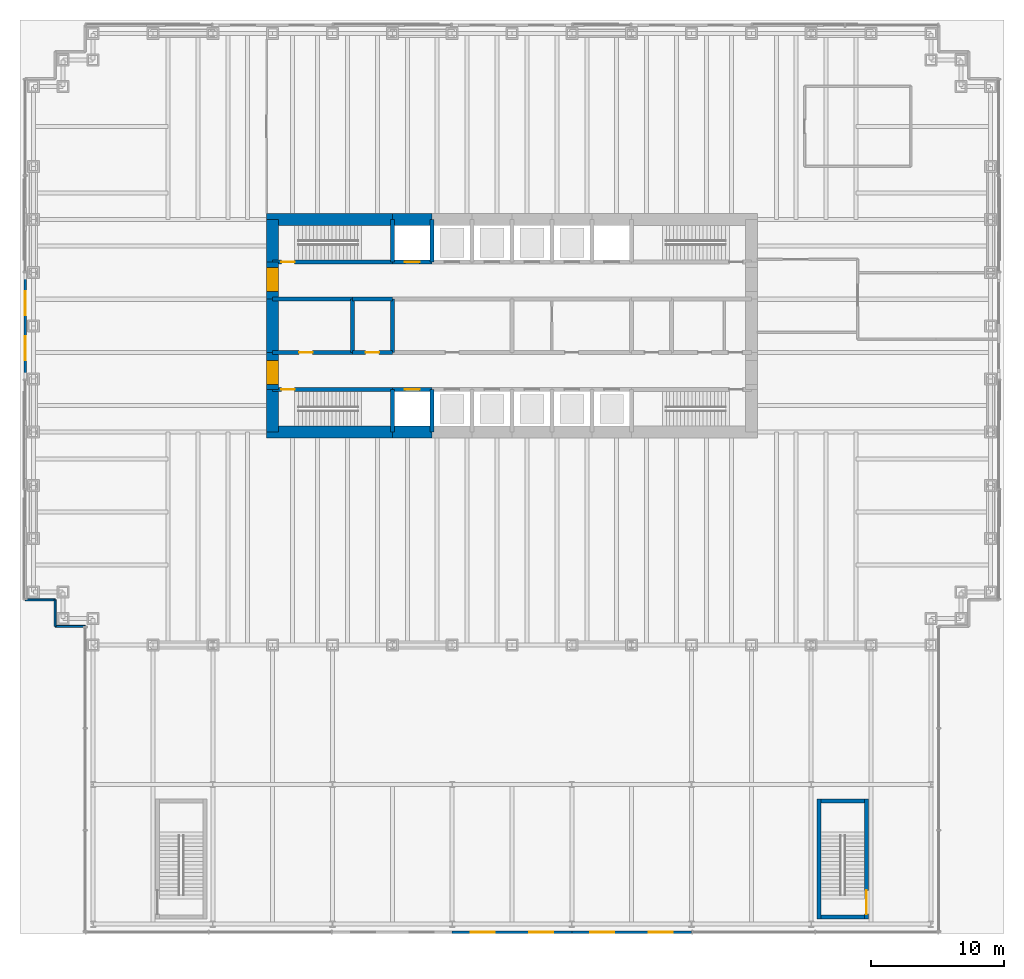
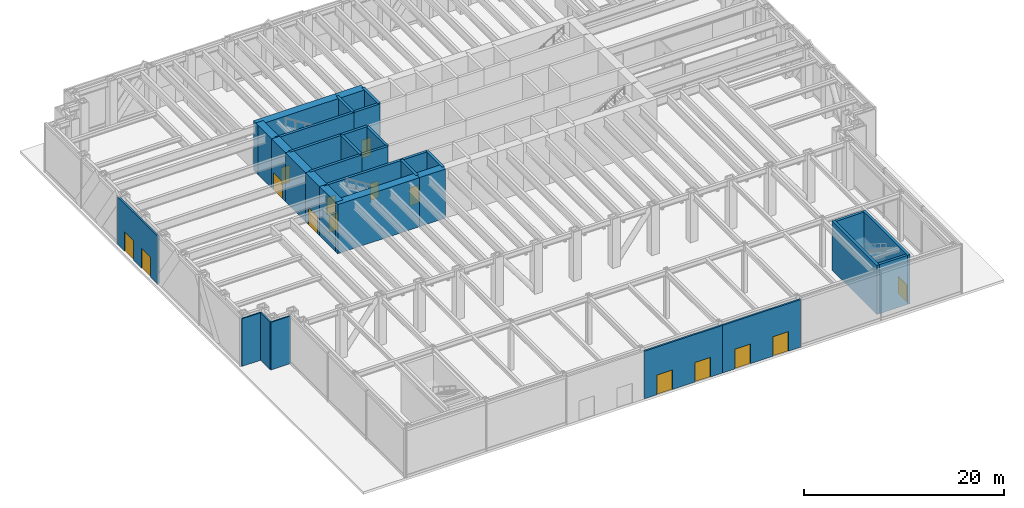
# One storey, part 12 of 17: 33 walls, 15 doors, 15 openings.
"""IFC4 building model written with IfcOpenShell, lengths in metres."""

from ifc_helpers import new_model, si_unit, direction, frame, frame_2d, origin, place, context, subcontext, project, spatial, rectangle, extrude, material, layer, layer_set, type_object, element, fill, save


model = new_model("IFC4")

# Units and contexts
model_context = context("Model", 3, precision=1e-05, world=origin(), true_north=direction((0.0, 1.0)))
body_context = subcontext(model_context, "Body", "Model", "MODEL_VIEW")
ifc_project = project(units=[si_unit("LENGTHUNIT", "METRE"), si_unit("AREAUNIT", "SQUARE_METRE"), si_unit("VOLUMEUNIT", "CUBIC_METRE"), si_unit("PLANEANGLEUNIT", "RADIAN"), si_unit("MASSUNIT", "GRAM", prefix="KILO")], contexts=[model_context])

# Site, building, storey
site_placement = place(None, origin())
site = spatial("IfcSite", under=ifc_project, at=site_placement, CompositionType="ELEMENT")
building_placement = place(site_placement, origin())
building = spatial("IfcBuilding", under=site, at=building_placement, Name="Rheinbord Bourse Tower", CompositionType="ELEMENT")
storey_placement = place(building_placement, origin())
storey = spatial("IfcBuildingStorey", under=building, at=storey_placement, Name="L00", CompositionType="ELEMENT", Elevation=0.0)

# Wall, opening, door
ifc_material_1 = material(Name="Concrete C50/60", Category="concrete")
ifc_layer_1 = layer(ifc_material_1, 0.300048828125)
ifc_layer_set_1 = layer_set([ifc_layer_1], Name="CORE INNER WALL 300")
wall_type_1 = type_object("IfcWallType", Name="CORE INNER WALL 300", PredefinedType="SOLIDWALL", material=ifc_layer_set_1)
wall_1_placement = place(storey_placement, frame((18.0, 19.199951171875, 0.0), z_axis=(0.0, 0.0, 1.0), x_axis=(1.0, 0.0, 0.0)))
wall_1 = element("IfcWall", 1, at=wall_1_placement, inside=storey, type_object=wall_type_1, Name="Core wall A1 L00", PredefinedType="SOLIDWALL", context=body_context, shape_type="SweptSolid", body=[
    extrude(rectangle(XDim=9.0, YDim=0.300048828125, at=frame_2d((4.5, 0.0))), origin(), (0.0, 0.0, 1.0), 6.0),
])
opening_1_placement = place(wall_1_placement, frame((0.64990234375, 0.0, 0.0)))
opening_1 = element("IfcOpeningElement", 2, at=opening_1_placement, cuts=wall_1, Name="Opening 0010", PredefinedType="OPENING", context=body_context, shape_type="SweptSolid", body=[
    extrude(rectangle(XDim=1.0, YDim=2.10009765625, at=frame_2d((0.5, 1.050048828125))), frame((0.0, 0.159912109375, 0.0), z_axis=(0.0, -1.0, 0.0), x_axis=(1.0, 0.0, 0.0)), (0.0, 0.0, 1.0), 0.320068359375),
])
ifc_material_2 = material(Name="Steel door", Category="steel")
door_type_1 = type_object("IfcDoorType", Name="DOOR 1000 EI30", OperationType="SINGLE_SWING_LEFT", PredefinedType="DOOR", material=ifc_material_2)
door_1_placement = place(opening_1_placement, origin())
door_1 = element("IfcDoor", 3, at=door_1_placement, inside=storey, type_object=door_type_1, Name="Stair door ST1 L00", OperationType="SINGLE_SWING_LEFT", OverallHeight=2.10009765625, OverallWidth=1.0, PredefinedType="DOOR", context=body_context, shape_type="SweptSolid", body=[
    extrude(rectangle(XDim=1.0, YDim=2.10009765625, at=frame_2d((0.5, 1.050048828125))), frame((0.0, 0.02490234375, 0.0), z_axis=(0.0, -1.0, 0.0), x_axis=(1.0, 0.0, 0.0)), (0.0, 0.0, 1.0), 0.050048828125),
])
fill(opening_1, door_1)

wall_2_placement = place(storey_placement, frame((27.0, 19.199951171875, 0.0), z_axis=(0.0, 0.0, 1.0), x_axis=(1.0, 0.0, 0.0)))
wall_2 = element("IfcWall", 4, at=wall_2_placement, inside=storey, type_object=wall_type_1, Name="Core wall A2 L00", PredefinedType="SOLIDWALL", context=body_context, shape_type="SweptSolid", body=[
    extrude(rectangle(XDim=3.0, YDim=0.300048828125, at=frame_2d((1.5, 0.0))), origin(), (0.0, 0.0, 1.0), 6.0),
])
opening_2_placement = place(wall_2_placement, frame((0.949951171875, 0.0, 0.0)))
opening_2 = element("IfcOpeningElement", 5, at=opening_2_placement, cuts=wall_2, Name="Opening FL1", PredefinedType="OPENING", context=body_context, shape_type="SweptSolid", body=[
    extrude(rectangle(XDim=1.10009765625, YDim=2.199951171875, at=frame_2d((0.550048828125, 1.10009765625))), frame((0.0, 0.159912109375, 0.0), z_axis=(0.0, -1.0, 0.0), x_axis=(1.0, 0.0, 0.0)), (0.0, 0.0, 1.0), 0.320068359375),
])
ifc_material_3 = material(Name="Steel landing door", Category="steel")
door_type_2 = type_object("IfcDoorType", Name="LIFT LANDING DOOR 1100", OperationType="DOUBLE_DOOR_SLIDING", PredefinedType="USERDEFINED", material=ifc_material_3)
door_2_placement = place(opening_2_placement, origin())
door_2 = element("IfcDoor", 6, at=door_2_placement, inside=storey, type_object=door_type_2, Name="Lift landing door FL1 L00", ObjectType="LIFT LANDING DOOR", OperationType="DOUBLE_DOOR_SLIDING", OverallHeight=2.199951171875, OverallWidth=1.10009765625, PredefinedType="USERDEFINED", context=body_context, shape_type="SweptSolid", body=[
    extrude(rectangle(XDim=1.10009765625, YDim=2.199951171875, at=frame_2d((0.550048828125, 1.10009765625))), frame((0.0, 0.02490234375, 0.0), z_axis=(0.0, -1.0, 0.0), x_axis=(1.0, 0.0, 0.0)), (0.0, 0.0, 1.0), 0.050048828125),
])
fill(opening_2, door_2)

wall_3_placement = place(storey_placement, frame((18.0, 28.800048828125, 0.0), z_axis=(0.0, 0.0, 1.0), x_axis=(1.0, 0.0, 0.0)))
wall_3 = element("IfcWall", 7, at=wall_3_placement, inside=storey, type_object=wall_type_1, Name="Core wall B1 L00", PredefinedType="SOLIDWALL", context=body_context, shape_type="SweptSolid", body=[
    extrude(rectangle(XDim=9.0, YDim=0.300048828125, at=frame_2d((4.5, 0.0))), origin(), (0.0, 0.0, 1.0), 6.0),
])
opening_3_placement = place(wall_3_placement, frame((0.64990234375, 0.0, 0.0)))
opening_3 = element("IfcOpeningElement", 8, at=opening_3_placement, cuts=wall_3, Name="Opening 0020", PredefinedType="OPENING", context=body_context, shape_type="SweptSolid", body=[
    extrude(rectangle(XDim=1.0, YDim=2.10009765625, at=frame_2d((0.5, 1.050048828125))), frame((0.0, 0.159912109375, 0.0), z_axis=(0.0, -1.0, 0.0), x_axis=(1.0, 0.0, 0.0)), (0.0, 0.0, 1.0), 0.320068359375),
])
door_3_placement = place(opening_3_placement, origin())
door_3 = element("IfcDoor", 9, at=door_3_placement, inside=storey, type_object=door_type_1, Name="Stair door ST2 L00", OperationType="SINGLE_SWING_LEFT", OverallHeight=2.10009765625, OverallWidth=1.0, PredefinedType="DOOR", context=body_context, shape_type="SweptSolid", body=[
    extrude(rectangle(XDim=1.0, YDim=2.10009765625, at=frame_2d((0.5, 1.050048828125))), frame((0.0, 0.02490234375, 0.0), z_axis=(0.0, -1.0, 0.0), x_axis=(1.0, 0.0, 0.0)), (0.0, 0.0, 1.0), 0.050048828125),
])
fill(opening_3, door_3)

wall_4_placement = place(storey_placement, frame((27.0, 28.800048828125, 0.0), z_axis=(0.0, 0.0, 1.0), x_axis=(1.0, 0.0, 0.0)))
wall_4 = element("IfcWall", 10, at=wall_4_placement, inside=storey, type_object=wall_type_1, Name="Core wall B2 L00", PredefinedType="SOLIDWALL", context=body_context, shape_type="SweptSolid", body=[
    extrude(rectangle(XDim=3.0, YDim=0.300048828125, at=frame_2d((1.5, 0.0))), origin(), (0.0, 0.0, 1.0), 6.0),
])
opening_4_placement = place(wall_4_placement, frame((0.949951171875, 0.0, 0.0)))
opening_4 = element("IfcOpeningElement", 11, at=opening_4_placement, cuts=wall_4, Name="Opening GL1", PredefinedType="OPENING", context=body_context, shape_type="SweptSolid", body=[
    extrude(rectangle(XDim=1.10009765625, YDim=2.199951171875, at=frame_2d((0.550048828125, 1.10009765625))), frame((0.0, 0.159912109375, 0.0), z_axis=(0.0, -1.0, 0.0), x_axis=(1.0, 0.0, 0.0)), (0.0, 0.0, 1.0), 0.320068359375),
])
door_4_placement = place(opening_4_placement, origin())
door_4 = element("IfcDoor", 12, at=door_4_placement, inside=storey, type_object=door_type_2, Name="Lift landing door GL1 L00", ObjectType="LIFT LANDING DOOR", OperationType="DOUBLE_DOOR_SLIDING", OverallHeight=2.199951171875, OverallWidth=1.10009765625, PredefinedType="USERDEFINED", context=body_context, shape_type="SweptSolid", body=[
    extrude(rectangle(XDim=1.10009765625, YDim=2.199951171875, at=frame_2d((0.550048828125, 1.10009765625))), frame((0.0, 0.02490234375, 0.0), z_axis=(0.0, -1.0, 0.0), x_axis=(1.0, 0.0, 0.0)), (0.0, 0.0, 1.0), 0.050048828125),
])
fill(opening_4, door_4)

wall_5_placement = place(storey_placement, frame((18.0, 22.0, 0.0), z_axis=(0.0, 0.0, 1.0), x_axis=(1.0, 0.0, 0.0)))
wall_5 = element("IfcWall", 13, at=wall_5_placement, inside=storey, type_object=wall_type_1, Name="Core wall C1 L00", PredefinedType="SOLIDWALL", context=body_context, shape_type="SweptSolid", body=[
    extrude(rectangle(XDim=6.0, YDim=0.300048828125, at=frame_2d((3.0, 0.0))), origin(), (0.0, 0.0, 1.0), 6.0),
])
opening_5_placement = place(wall_5_placement, frame((2.0, 0.0, 0.0)))
opening_5 = element("IfcOpeningElement", 14, at=opening_5_placement, cuts=wall_5, Name="Opening 00R1", PredefinedType="OPENING", context=body_context, shape_type="SweptSolid", body=[
    extrude(rectangle(XDim=1.0, YDim=2.10009765625, at=frame_2d((0.5, 1.050048828125))), frame((0.0, 0.159912109375, 0.0), z_axis=(0.0, -1.0, 0.0), x_axis=(1.0, 0.0, 0.0)), (0.0, 0.0, 1.0), 0.320068359375),
])
ifc_material_4 = material(Name="Timber door", Category="wood")
door_type_3 = type_object("IfcDoorType", Name="DOOR 1000 WC", OperationType="SINGLE_SWING_LEFT", PredefinedType="DOOR", material=ifc_material_4)
door_5_placement = place(opening_5_placement, origin())
door_5 = element("IfcDoor", 15, at=door_5_placement, inside=storey, type_object=door_type_3, Name="WC men door L00", OperationType="SINGLE_SWING_LEFT", OverallHeight=2.10009765625, OverallWidth=1.0, PredefinedType="DOOR", context=body_context, shape_type="SweptSolid", body=[
    extrude(rectangle(XDim=1.0, YDim=2.10009765625, at=frame_2d((0.5, 1.050048828125))), frame((0.0, 0.02490234375, 0.0), z_axis=(0.0, -1.0, 0.0), x_axis=(1.0, 0.0, 0.0)), (0.0, 0.0, 1.0), 0.050048828125),
])
fill(opening_5, door_5)

wall_6_placement = place(storey_placement, frame((24.0, 22.0, 0.0), z_axis=(0.0, 0.0, 1.0), x_axis=(1.0, 0.0, 0.0)))
wall_6 = element("IfcWall", 16, at=wall_6_placement, inside=storey, type_object=wall_type_1, Name="Core wall C2 L00", PredefinedType="SOLIDWALL", context=body_context, shape_type="SweptSolid", body=[
    extrude(rectangle(XDim=3.0, YDim=0.300048828125, at=frame_2d((1.5, 0.0))), origin(), (0.0, 0.0, 1.0), 6.0),
])
opening_6_placement = place(wall_6_placement, frame((1.0, 0.0, 0.0)))
opening_6 = element("IfcOpeningElement", 17, at=opening_6_placement, cuts=wall_6, Name="Opening 00R2", PredefinedType="OPENING", context=body_context, shape_type="SweptSolid", body=[
    extrude(rectangle(XDim=1.0, YDim=2.10009765625, at=frame_2d((0.5, 1.050048828125))), frame((0.0, 0.159912109375, 0.0), z_axis=(0.0, -1.0, 0.0), x_axis=(1.0, 0.0, 0.0)), (0.0, 0.0, 1.0), 0.320068359375),
])
door_6_placement = place(opening_6_placement, origin())
door_6 = element("IfcDoor", 18, at=door_6_placement, inside=storey, type_object=door_type_3, Name="Accessible WC door L00", OperationType="SINGLE_SWING_LEFT", OverallHeight=2.10009765625, OverallWidth=1.0, PredefinedType="DOOR", context=body_context, shape_type="SweptSolid", body=[
    extrude(rectangle(XDim=1.0, YDim=2.10009765625, at=frame_2d((0.5, 1.050048828125))), frame((0.0, 0.02490234375, 0.0), z_axis=(0.0, -1.0, 0.0), x_axis=(1.0, 0.0, 0.0)), (0.0, 0.0, 1.0), 0.050048828125),
])
fill(opening_6, door_6)

# Walls
wall_7_placement = place(storey_placement, frame((18.0, 26.0, 0.0), z_axis=(0.0, 0.0, 1.0), x_axis=(1.0, 0.0, 0.0)))
element("IfcWall", 19, at=wall_7_placement, inside=storey, type_object=wall_type_1, Name="Core wall D1 L00", PredefinedType="SOLIDWALL", context=body_context, shape_type="SweptSolid", body=[
    extrude(rectangle(XDim=6.0, YDim=0.300048828125, at=frame_2d((3.0, 0.0))), origin(), (0.0, 0.0, 1.0), 6.0),
])
wall_8_placement = place(storey_placement, frame((24.0, 26.0, 0.0), z_axis=(0.0, 0.0, 1.0), x_axis=(1.0, 0.0, 0.0)))
element("IfcWall", 20, at=wall_8_placement, inside=storey, type_object=wall_type_1, Name="Core wall D2 L00", PredefinedType="SOLIDWALL", context=body_context, shape_type="SweptSolid", body=[
    extrude(rectangle(XDim=3.0, YDim=0.300048828125, at=frame_2d((1.5, 0.0))), origin(), (0.0, 0.0, 1.0), 6.0),
])
for number, where, z_axis, x_axis, name in (
    (21, (27.0, 16.0, 0.0), (0.0, 0.0, 1.0), (0.0, 1.0, 0.0), "Core wall SX27 L00"),
    (22, (27.0, 28.800048828125, 0.0), (0.0, 0.0, 1.0), (0.0, 1.0, 0.0), "Core wall NX27 L00"),
    (23, (30.0, 16.0, 0.0), (0.0, 0.0, 1.0), (0.0, 1.0, 0.0), "Core wall SX30 L00"),
    (24, (30.0, 28.800048828125, 0.0), (0.0, 0.0, 1.0), (0.0, 1.0, 0.0), "Core wall NX30 L00"),
):
    element("IfcWall", number, at=place(storey_placement, frame(where, z_axis=z_axis, x_axis=x_axis)), inside=storey, type_object=wall_type_1, Name=name, PredefinedType="SOLIDWALL", context=body_context, shape_type="SweptSolid", body=[
        extrude(rectangle(XDim=3.199951171875, YDim=0.300048828125, at=frame_2d((1.60009765625, 0.0))), origin(), (0.0, 0.0, 1.0), 6.0),
    ])
for number, where, z_axis, x_axis, name in (
    (25, (24.0, 22.0, 0.0), (0.0, 0.0, 1.0), (0.0, 1.0, 0.0), "Core wall MX24 L00"),
    (26, (27.0, 22.0, 0.0), (0.0, 0.0, 1.0), (0.0, 1.0, 0.0), "Core wall MX27 L00"),
):
    element("IfcWall", number, at=place(storey_placement, frame(where, z_axis=z_axis, x_axis=x_axis)), inside=storey, type_object=wall_type_1, Name=name, PredefinedType="SOLIDWALL", context=body_context, shape_type="SweptSolid", body=[
        extrude(rectangle(XDim=4.0, YDim=0.300048828125, at=frame_2d((2.0, 0.0))), origin(), (0.0, 0.0, 1.0), 6.0),
    ])
ifc_material_5 = material(Name="Concrete C50/60", Category="concrete")
ifc_layer_2 = layer(ifc_material_5, 0.89990234375)
ifc_layer_set_2 = layer_set([ifc_layer_2], Name="CORE WALL 900")
wall_type_2 = type_object("IfcWallType", Name="CORE WALL 900", PredefinedType="SHEAR", material=ifc_layer_set_2)
wall_9_placement = place(storey_placement, frame((17.550048828125, 16.0, 0.0), z_axis=(0.0, 0.0, 1.0), x_axis=(1.0, 0.0, 0.0)))
element("IfcWall", 27, at=wall_9_placement, inside=storey, type_object=wall_type_2, Name="Core wall S1 L00", PredefinedType="SHEAR", context=body_context, shape_type="SweptSolid", body=[
    extrude(rectangle(XDim=9.449951171875, YDim=0.89990234375, at=frame_2d((4.72509765625, 0.0))), origin(), (0.0, 0.0, 1.0), 6.0),
])
for number, where, z_axis, x_axis, name in (
    (28, (27.0, 16.0, 0.0), (0.0, 0.0, 1.0), (1.0, 0.0, 0.0), "Core wall S2 L00"),
    (29, (30.0, 32.0, 0.0), (0.0, 0.0, 1.0), (-1.0, 0.0, 0.0), "Core wall N7 L00"),
):
    element("IfcWall", number, at=place(storey_placement, frame(where, z_axis=z_axis, x_axis=x_axis)), inside=storey, type_object=wall_type_2, Name=name, PredefinedType="SHEAR", context=body_context, shape_type="SweptSolid", body=[
        extrude(rectangle(XDim=3.0, YDim=0.89990234375, at=frame_2d((1.5, 0.0))), origin(), (0.0, 0.0, 1.0), 6.0),
    ])
wall_10_placement = place(storey_placement, frame((27.0, 32.0, 0.0), z_axis=(0.0, 0.0, 1.0), x_axis=(-1.0, 0.0, 0.0)))
element("IfcWall", 30, at=wall_10_placement, inside=storey, type_object=wall_type_2, Name="Core wall N8 L00", PredefinedType="SHEAR", context=body_context, shape_type="SweptSolid", body=[
    extrude(rectangle(XDim=9.449951171875, YDim=0.89990234375, at=frame_2d((4.72509765625, 0.0))), origin(), (0.0, 0.0, 1.0), 6.0),
])
wall_11_placement = place(storey_placement, frame((18.0, 32.0, 0.0), z_axis=(0.0, 0.0, 1.0), x_axis=(0.0, -1.0, 0.0)))
element("IfcWall", 31, at=wall_11_placement, inside=storey, type_object=wall_type_2, Name="Core wall W1 L00", PredefinedType="SHEAR", context=body_context, shape_type="SweptSolid", body=[
    extrude(rectangle(XDim=3.199951171875, YDim=0.89990234375, at=frame_2d((1.60009765625, 0.0))), origin(), (0.0, 0.0, 1.0), 6.0),
])

# Wall, opening, door
wall_12_placement = place(storey_placement, frame((18.0, 28.800048828125, 0.0), z_axis=(0.0, 0.0, 1.0), x_axis=(0.0, -1.0, 0.0)))
wall_12 = element("IfcWall", 32, at=wall_12_placement, inside=storey, type_object=wall_type_2, Name="Core wall W2 L00", PredefinedType="SHEAR", context=body_context, shape_type="SweptSolid", body=[
    extrude(rectangle(XDim=2.800048828125, YDim=0.89990234375, at=frame_2d((1.39990234375, 0.0))), origin(), (0.0, 0.0, 1.0), 6.0),
])
opening_7_placement = place(wall_12_placement, frame((0.39990234375, 0.0, 0.0)))
opening_7 = element("IfcOpeningElement", 33, at=opening_7_placement, cuts=wall_12, Name="Opening 00L2", PredefinedType="OPENING", context=body_context, shape_type="SweptSolid", body=[
    extrude(rectangle(XDim=1.800048828125, YDim=2.10009765625, at=frame_2d((0.89990234375, 1.050048828125))), frame((0.0, 0.4599609375, 0.0), z_axis=(0.0, -1.0, 0.0), x_axis=(1.0, 0.0, 0.0)), (0.0, 0.0, 1.0), 0.919921875),
])
ifc_material_6 = material(Name="Steel door", Category="steel")
door_type_4 = type_object("IfcDoorType", Name="DOOR 1800 EI30 DOUBLE", OperationType="DOUBLE_DOOR_DOUBLE_SWING", PredefinedType="DOOR", material=ifc_material_6)
door_7_placement = place(opening_7_placement, origin())
door_7 = element("IfcDoor", 34, at=door_7_placement, inside=storey, type_object=door_type_4, Name="Lobby door 2 L00", OperationType="SINGLE_SWING_LEFT", OverallHeight=2.10009765625, OverallWidth=1.800048828125, PredefinedType="DOOR", context=body_context, shape_type="SweptSolid", body=[
    extrude(rectangle(XDim=1.800048828125, YDim=2.10009765625, at=frame_2d((0.89990234375, 1.050048828125))), frame((0.0, 0.44970703125, 0.0), z_axis=(0.0, -1.0, 0.0), x_axis=(1.0, 0.0, 0.0)), (0.0, 0.0, 1.0), 0.8994140625),
])
fill(opening_7, door_7)

# Wall
wall_13_placement = place(storey_placement, frame((18.0, 26.0, 0.0), z_axis=(0.0, 0.0, 1.0), x_axis=(0.0, -1.0, 0.0)))
element("IfcWall", 35, at=wall_13_placement, inside=storey, type_object=wall_type_2, Name="Core wall W3 L00", PredefinedType="SHEAR", context=body_context, shape_type="SweptSolid", body=[
    extrude(rectangle(XDim=4.0, YDim=0.89990234375, at=frame_2d((2.0, 0.0))), origin(), (0.0, 0.0, 1.0), 6.0),
])

# Wall, opening, door
wall_14_placement = place(storey_placement, frame((18.0, 22.0, 0.0), z_axis=(0.0, 0.0, 1.0), x_axis=(0.0, -1.0, 0.0)))
wall_14 = element("IfcWall", 36, at=wall_14_placement, inside=storey, type_object=wall_type_2, Name="Core wall W4 L00", PredefinedType="SHEAR", context=body_context, shape_type="SweptSolid", body=[
    extrude(rectangle(XDim=2.800048828125, YDim=0.89990234375, at=frame_2d((1.39990234375, 0.0))), origin(), (0.0, 0.0, 1.0), 6.0),
])
opening_8_placement = place(wall_14_placement, frame((0.60009765625, 0.0, 0.0)))
opening_8 = element("IfcOpeningElement", 37, at=opening_8_placement, cuts=wall_14, Name="Opening 00L1", PredefinedType="OPENING", context=body_context, shape_type="SweptSolid", body=[
    extrude(rectangle(XDim=1.800048828125, YDim=2.10009765625, at=frame_2d((0.89990234375, 1.050048828125))), frame((0.0, 0.4599609375, 0.0), z_axis=(0.0, -1.0, 0.0), x_axis=(1.0, 0.0, 0.0)), (0.0, 0.0, 1.0), 0.919921875),
])
door_8_placement = place(opening_8_placement, origin())
door_8 = element("IfcDoor", 38, at=door_8_placement, inside=storey, type_object=door_type_4, Name="Lobby door 1 L00", OperationType="SINGLE_SWING_LEFT", OverallHeight=2.10009765625, OverallWidth=1.800048828125, PredefinedType="DOOR", context=body_context, shape_type="SweptSolid", body=[
    extrude(rectangle(XDim=1.800048828125, YDim=2.10009765625, at=frame_2d((0.89990234375, 1.050048828125))), frame((0.0, 0.44970703125, 0.0), z_axis=(0.0, -1.0, 0.0), x_axis=(1.0, 0.0, 0.0)), (0.0, 0.0, 1.0), 0.8994140625),
])
fill(opening_8, door_8)

# Walls
wall_15_placement = place(storey_placement, frame((18.0, 19.199951171875, 0.0), z_axis=(0.0, 0.0, 1.0), x_axis=(0.0, -1.0, 0.0)))
element("IfcWall", 39, at=wall_15_placement, inside=storey, type_object=wall_type_2, Name="Core wall W5 L00", PredefinedType="SHEAR", context=body_context, shape_type="SweptSolid", body=[
    extrude(rectangle(XDim=3.199951171875, YDim=0.89990234375, at=frame_2d((1.60009765625, 0.0))), origin(), (0.0, 0.0, 1.0), 6.0),
])
ifc_material_7 = material(Name="Black metal rainscreen panel", Category="aluminium")
ifc_layer_3 = layer(ifc_material_7, 0.14990234375)
ifc_layer_set_3 = layer_set([ifc_layer_3], Name="CORNER PIER CLADDING 150")
wall_type_3 = type_object("IfcWallType", Name="CORNER PIER CLADDING 150", PredefinedType="ELEMENTEDWALL", material=ifc_layer_set_3)
wall_16_placement = place(storey_placement, frame((-0.60009765625, 3.39990234375, 0.0), z_axis=(0.0, 0.0, 1.0), x_axis=(1.0, 0.0, 0.0)))
element("IfcWall", 40, at=wall_16_placement, inside=storey, type_object=wall_type_3, Name="Corner pier cladding L00 31", PredefinedType="ELEMENTEDWALL", context=body_context, shape_type="SweptSolid", body=[
    extrude(rectangle(XDim=2.25, YDim=0.14990234375, at=frame_2d((1.125, 0.0))), origin(), (0.0, 0.0, 1.0), 5.820068359375),
])
wall_17_placement = place(storey_placement, frame((1.64990234375, 3.39990234375, 0.0), z_axis=(0.0, 0.0, 1.0), x_axis=(0.0, -1.0, 0.0)))
element("IfcWall", 41, at=wall_17_placement, inside=storey, type_object=wall_type_3, Name="Corner pier cladding L00 32", PredefinedType="ELEMENTEDWALL", context=body_context, shape_type="SweptSolid", body=[
    extrude(rectangle(XDim=2.0, YDim=0.14990234375, at=frame_2d((1.0, 0.0))), origin(), (0.0, 0.0, 1.0), 5.820068359375),
])
wall_18_placement = place(storey_placement, frame((1.64990234375, 1.39990234375, 0.0), z_axis=(0.0, 0.0, 1.0), x_axis=(1.0, 0.0, 0.0)))
element("IfcWall", 42, at=wall_18_placement, inside=storey, type_object=wall_type_3, Name="Corner pier cladding L00 33", PredefinedType="ELEMENTEDWALL", context=body_context, shape_type="SweptSolid", body=[
    extrude(rectangle(XDim=2.25, YDim=0.14990234375, at=frame_2d((1.125, 0.0))), origin(), (0.0, 0.0, 1.0), 5.820068359375),
])

# Wall, openings, doors
ifc_material_8 = material(Name="Dark glass and black steel screen", Category="steel")
ifc_layer_4 = layer(ifc_material_8, 0.199951171875)
ifc_layer_set_4 = layer_set([ifc_layer_4], Name="ENTRANCE SCREEN 200")
wall_type_4 = type_object("IfcWallType", Name="ENTRANCE SCREEN 200", PredefinedType="USERDEFINED", material=ifc_layer_set_4)
wall_19_placement = place(storey_placement, frame((31.5, -21.60009765625, 0.0), z_axis=(0.0, 0.0, 1.0), x_axis=(1.0, 0.0, 0.0)))
wall_19 = element("IfcWall", 43, at=wall_19_placement, inside=storey, type_object=wall_type_4, Name="Entrance screen S L00", ObjectType="GLAZED ENTRANCE SCREEN", PredefinedType="USERDEFINED", context=body_context, shape_type="SweptSolid", body=[
    extrude(rectangle(XDim=9.0, YDim=0.199951171875, at=frame_2d((4.5, 0.0))), origin(), (0.0, 0.0, 1.0), 5.820068359375),
])
opening_9_placement = place(wall_19_placement, frame((1.39990234375, 0.0, 0.0)))
opening_9 = element("IfcOpeningElement", 44, at=opening_9_placement, cuts=wall_19, Name="Opening 00ES102", PredefinedType="OPENING", context=body_context, shape_type="SweptSolid", body=[
    extrude(rectangle(XDim=1.800048828125, YDim=2.39990234375, at=frame_2d((0.89990234375, 1.199951171875))), frame((0.0, 0.10986328125, 0.0), z_axis=(0.0, -1.0, 0.0), x_axis=(1.0, 0.0, 0.0)), (0.0, 0.0, 1.0), 0.219970703125),
])
opening_10_placement = place(wall_19_placement, frame((5.800048828125, 0.0, 0.0)))
opening_10 = element("IfcOpeningElement", 45, at=opening_10_placement, cuts=wall_19, Name="Opening 00ES202", PredefinedType="OPENING", context=body_context, shape_type="SweptSolid", body=[
    extrude(rectangle(XDim=1.800048828125, YDim=2.39990234375, at=frame_2d((0.89990234375, 1.199951171875))), frame((0.0, 0.10986328125, 0.0), z_axis=(0.0, -1.0, 0.0), x_axis=(1.0, 0.0, 0.0)), (0.0, 0.0, 1.0), 0.219970703125),
])
ifc_material_9 = material(Name="Dark glass and black steel door", Category="steel")
door_type_5 = type_object("IfcDoorType", Name="ENTRANCE DOOR 1800", OperationType="DOUBLE_DOOR_DOUBLE_SWING", PredefinedType="DOOR", material=ifc_material_9)
door_9_placement = place(opening_9_placement, origin())
door_9 = element("IfcDoor", 46, at=door_9_placement, inside=storey, type_object=door_type_5, Name="Entrance door S", OperationType="SINGLE_SWING_LEFT", OverallHeight=2.39990234375, OverallWidth=1.800048828125, PredefinedType="DOOR", context=body_context, shape_type="SweptSolid", body=[
    extrude(rectangle(XDim=1.800048828125, YDim=2.39990234375, at=frame_2d((0.89990234375, 1.199951171875))), frame((0.0, 0.02490234375, 0.0), z_axis=(0.0, -1.0, 0.0), x_axis=(1.0, 0.0, 0.0)), (0.0, 0.0, 1.0), 0.050048828125),
])
fill(opening_9, door_9)
door_10_placement = place(opening_10_placement, origin())
door_10 = element("IfcDoor", 47, at=door_10_placement, inside=storey, type_object=door_type_5, Name="Entrance door S", OperationType="SINGLE_SWING_LEFT", OverallHeight=2.39990234375, OverallWidth=1.800048828125, PredefinedType="DOOR", context=body_context, shape_type="SweptSolid", body=[
    extrude(rectangle(XDim=1.800048828125, YDim=2.39990234375, at=frame_2d((0.89990234375, 1.199951171875))), frame((0.0, 0.02490234375, 0.0), z_axis=(0.0, -1.0, 0.0), x_axis=(1.0, 0.0, 0.0)), (0.0, 0.0, 1.0), 0.050048828125),
])
fill(opening_10, door_10)

wall_20_placement = place(storey_placement, frame((40.5, -21.60009765625, 0.0), z_axis=(0.0, 0.0, 1.0), x_axis=(1.0, 0.0, 0.0)))
wall_20 = element("IfcWall", 48, at=wall_20_placement, inside=storey, type_object=wall_type_4, Name="Entrance screen S L00", ObjectType="GLAZED ENTRANCE SCREEN", PredefinedType="USERDEFINED", context=body_context, shape_type="SweptSolid", body=[
    extrude(rectangle(XDim=9.0, YDim=0.199951171875, at=frame_2d((4.5, 0.0))), origin(), (0.0, 0.0, 1.0), 5.820068359375),
])
opening_11_placement = place(wall_20_placement, frame((1.39990234375, 0.0, 0.0)))
opening_11 = element("IfcOpeningElement", 49, at=opening_11_placement, cuts=wall_20, Name="Opening 00ES103", PredefinedType="OPENING", context=body_context, shape_type="SweptSolid", body=[
    extrude(rectangle(XDim=1.800048828125, YDim=2.39990234375, at=frame_2d((0.89990234375, 1.199951171875))), frame((0.0, 0.10986328125, 0.0), z_axis=(0.0, -1.0, 0.0), x_axis=(1.0, 0.0, 0.0)), (0.0, 0.0, 1.0), 0.219970703125),
])
opening_12_placement = place(wall_20_placement, frame((5.800048828125, 0.0, 0.0)))
opening_12 = element("IfcOpeningElement", 50, at=opening_12_placement, cuts=wall_20, Name="Opening 00ES203", PredefinedType="OPENING", context=body_context, shape_type="SweptSolid", body=[
    extrude(rectangle(XDim=1.800048828125, YDim=2.39990234375, at=frame_2d((0.89990234375, 1.199951171875))), frame((0.0, 0.10986328125, 0.0), z_axis=(0.0, -1.0, 0.0), x_axis=(1.0, 0.0, 0.0)), (0.0, 0.0, 1.0), 0.219970703125),
])
door_11_placement = place(opening_11_placement, origin())
door_11 = element("IfcDoor", 51, at=door_11_placement, inside=storey, type_object=door_type_5, Name="Entrance door S", OperationType="SINGLE_SWING_LEFT", OverallHeight=2.39990234375, OverallWidth=1.800048828125, PredefinedType="DOOR", context=body_context, shape_type="SweptSolid", body=[
    extrude(rectangle(XDim=1.800048828125, YDim=2.39990234375, at=frame_2d((0.89990234375, 1.199951171875))), frame((0.0, 0.02490234375, 0.0), z_axis=(0.0, -1.0, 0.0), x_axis=(1.0, 0.0, 0.0)), (0.0, 0.0, 1.0), 0.050048828125),
])
fill(opening_11, door_11)
door_12_placement = place(opening_12_placement, origin())
door_12 = element("IfcDoor", 52, at=door_12_placement, inside=storey, type_object=door_type_5, Name="Entrance door S", OperationType="SINGLE_SWING_LEFT", OverallHeight=2.39990234375, OverallWidth=1.800048828125, PredefinedType="DOOR", context=body_context, shape_type="SweptSolid", body=[
    extrude(rectangle(XDim=1.800048828125, YDim=2.39990234375, at=frame_2d((0.89990234375, 1.199951171875))), frame((0.0, 0.02490234375, 0.0), z_axis=(0.0, -1.0, 0.0), x_axis=(1.0, 0.0, 0.0)), (0.0, 0.0, 1.0), 0.050048828125),
])
fill(opening_12, door_12)

wall_21_placement = place(storey_placement, frame((-0.60009765625, 28.0, 0.0), z_axis=(0.0, 0.0, 1.0), x_axis=(0.0, -1.0, 0.0)))
wall_21 = element("IfcWall", 53, at=wall_21_placement, inside=storey, type_object=wall_type_4, Name="Entrance screen W L00", ObjectType="GLAZED ENTRANCE SCREEN", PredefinedType="USERDEFINED", context=body_context, shape_type="SweptSolid", body=[
    extrude(rectangle(XDim=8.0, YDim=0.199951171875, at=frame_2d((4.0, 0.0))), origin(), (0.0, 0.0, 1.0), 5.820068359375),
])
opening_13_placement = place(wall_21_placement, frame((1.39990234375, 0.0, 0.0)))
opening_13 = element("IfcOpeningElement", 54, at=opening_13_placement, cuts=wall_21, Name="Opening 00EW128", PredefinedType="OPENING", context=body_context, shape_type="SweptSolid", body=[
    extrude(rectangle(XDim=1.800048828125, YDim=2.39990234375, at=frame_2d((0.89990234375, 1.199951171875))), frame((0.0, 0.10986328125, 0.0), z_axis=(0.0, -1.0, 0.0), x_axis=(1.0, 0.0, 0.0)), (0.0, 0.0, 1.0), 0.219970703125),
])
opening_14_placement = place(wall_21_placement, frame((4.800048828125, 0.0, 0.0)))
opening_14 = element("IfcOpeningElement", 55, at=opening_14_placement, cuts=wall_21, Name="Opening 00EW228", PredefinedType="OPENING", context=body_context, shape_type="SweptSolid", body=[
    extrude(rectangle(XDim=1.800048828125, YDim=2.39990234375, at=frame_2d((0.89990234375, 1.199951171875))), frame((0.0, 0.10986328125, 0.0), z_axis=(0.0, -1.0, 0.0), x_axis=(1.0, 0.0, 0.0)), (0.0, 0.0, 1.0), 0.219970703125),
])
door_13_placement = place(opening_13_placement, origin())
door_13 = element("IfcDoor", 56, at=door_13_placement, inside=storey, type_object=door_type_5, Name="Entrance door W", OperationType="SINGLE_SWING_LEFT", OverallHeight=2.39990234375, OverallWidth=1.800048828125, PredefinedType="DOOR", context=body_context, shape_type="SweptSolid", body=[
    extrude(rectangle(XDim=1.800048828125, YDim=2.39990234375, at=frame_2d((0.89990234375, 1.199951171875))), frame((0.0, 0.02490234375, 0.0), z_axis=(0.0, -1.0, 0.0), x_axis=(1.0, 0.0, 0.0)), (0.0, 0.0, 1.0), 0.050048828125),
])
fill(opening_13, door_13)
door_14_placement = place(opening_14_placement, origin())
door_14 = element("IfcDoor", 57, at=door_14_placement, inside=storey, type_object=door_type_5, Name="Entrance door W", OperationType="SINGLE_SWING_LEFT", OverallHeight=2.39990234375, OverallWidth=1.800048828125, PredefinedType="DOOR", context=body_context, shape_type="SweptSolid", body=[
    extrude(rectangle(XDim=1.800048828125, YDim=2.39990234375, at=frame_2d((0.89990234375, 1.199951171875))), frame((0.0, 0.02490234375, 0.0), z_axis=(0.0, -1.0, 0.0), x_axis=(1.0, 0.0, 0.0)), (0.0, 0.0, 1.0), 0.050048828125),
])
fill(opening_14, door_14)

# Wall
ifc_material_10 = material(Name="Concrete C50/60", Category="concrete")
ifc_layer_5 = layer(ifc_material_10, 0.300048828125)
ifc_layer_set_5 = layer_set([ifc_layer_5], Name="PODIUM STAIR WALL 300")
wall_type_5 = type_object("IfcWallType", Name="PODIUM STAIR WALL 300", PredefinedType="SOLIDWALL", material=ifc_layer_set_5)
wall_22_placement = place(storey_placement, frame((59.10009765625, -20.60009765625, 0.0), z_axis=(0.0, 0.0, 1.0), x_axis=(0.0, 1.0, 0.0)))
element("IfcWall", 58, at=wall_22_placement, inside=storey, type_object=wall_type_5, Name="Stair wall ST6 W L00", PredefinedType="SOLIDWALL", context=body_context, shape_type="SweptSolid", body=[
    extrude(rectangle(XDim=9.0, YDim=0.300048828125, at=frame_2d((4.5, 0.0))), origin(), (0.0, 0.0, 1.0), 6.0),
])

# Wall, opening, door
wall_23_placement = place(storey_placement, frame((62.64990234375, -20.60009765625, 0.0), z_axis=(0.0, 0.0, 1.0), x_axis=(0.0, 1.0, 0.0)))
wall_23 = element("IfcWall", 59, at=wall_23_placement, inside=storey, type_object=wall_type_5, Name="Stair wall ST6 E L00", PredefinedType="SOLIDWALL", context=body_context, shape_type="SweptSolid", body=[
    extrude(rectangle(XDim=9.0, YDim=0.300048828125, at=frame_2d((4.5, 0.0))), origin(), (0.0, 0.0, 1.0), 6.0),
])
opening_15_placement = place(wall_23_placement, frame((0.35009765625, 0.0, 0.0)))
opening_15 = element("IfcOpeningElement", 60, at=opening_15_placement, cuts=wall_23, Name="Opening 0061", PredefinedType="OPENING", context=body_context, shape_type="SweptSolid", body=[
    extrude(rectangle(XDim=1.800048828125, YDim=2.10009765625, at=frame_2d((0.89990234375, 1.050048828125))), frame((0.0, 0.159912109375, 0.0), z_axis=(0.0, -1.0, 0.0), x_axis=(1.0, 0.0, 0.0)), (0.0, 0.0, 1.0), 0.320068359375),
])
door_15_placement = place(opening_15_placement, origin())
door_15 = element("IfcDoor", 61, at=door_15_placement, inside=storey, type_object=door_type_4, Name="Stair door ST6 L00", OperationType="SINGLE_SWING_LEFT", OverallHeight=2.10009765625, OverallWidth=1.800048828125, PredefinedType="DOOR", context=body_context, shape_type="SweptSolid", body=[
    extrude(rectangle(XDim=1.800048828125, YDim=2.10009765625, at=frame_2d((0.89990234375, 1.050048828125))), frame((0.0, 0.02490234375, 0.0), z_axis=(0.0, -1.0, 0.0), x_axis=(1.0, 0.0, 0.0)), (0.0, 0.0, 1.0), 0.050048828125),
])
fill(opening_15, door_15)

# Walls
for number, where, z_axis, x_axis, name in (
    (62, (59.25, -20.449951171875, 0.0), (0.0, 0.0, 1.0), (1.0, 0.0, 0.0), "Stair wall ST6 S L00"),
    (63, (59.25, -11.75, 0.0), (0.0, 0.0, 1.0), (1.0, 0.0, 0.0), "Stair wall ST6 N L00"),
):
    element("IfcWall", number, at=place(storey_placement, frame(where, z_axis=z_axis, x_axis=x_axis)), inside=storey, type_object=wall_type_5, Name=name, PredefinedType="SOLIDWALL", context=body_context, shape_type="SweptSolid", body=[
        extrude(rectangle(XDim=3.25, YDim=0.300048828125, at=frame_2d((1.625, 0.0))), origin(), (0.0, 0.0, 1.0), 6.0),
    ])

save(model, "model.ifc")
